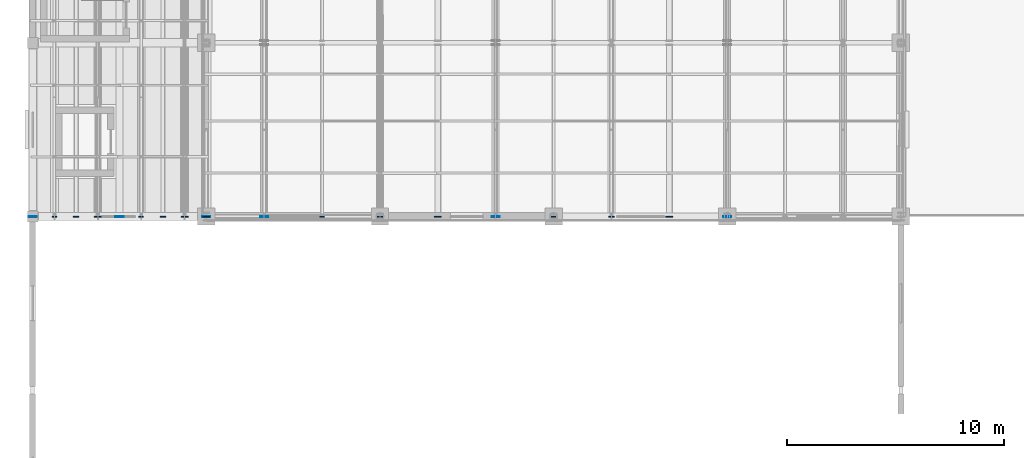
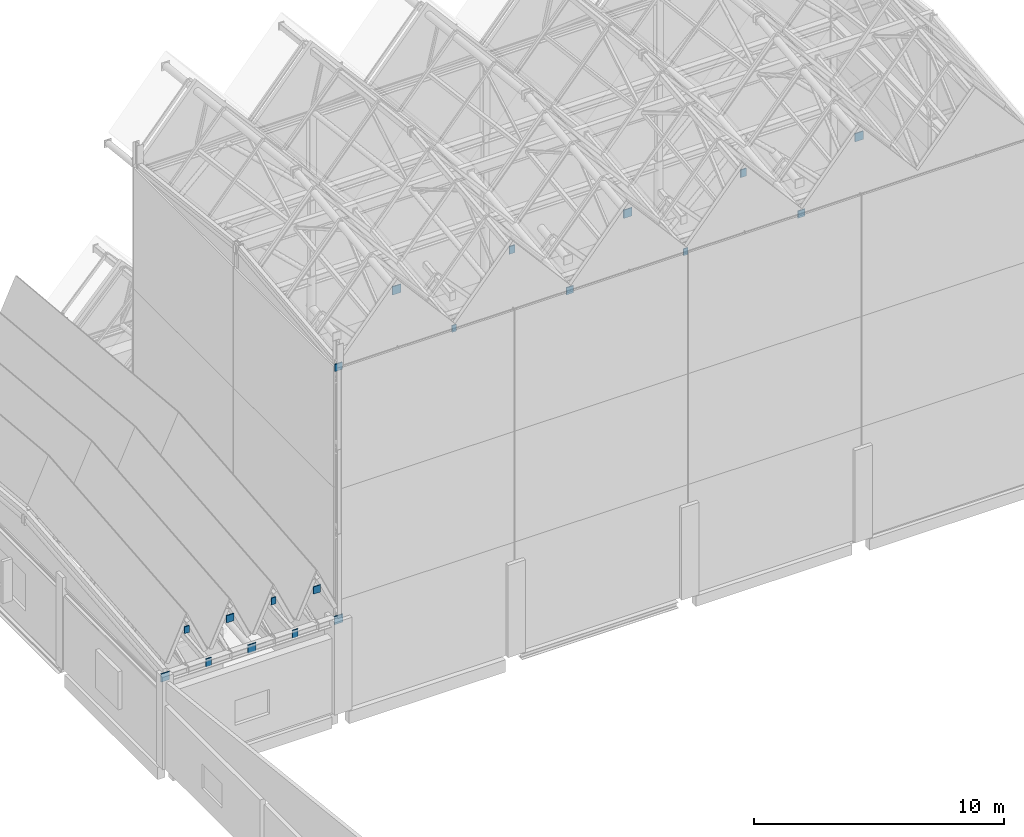
# One storey, part 37 of 48: 19 discrete accessories.
"""IFC4 building model written with IfcOpenShell, lengths in metres."""

from ifc_helpers import new_model, si_unit, direction, frame, origin, origin_2d, place, context, subcontext, project, spatial, rectangle, extrude, material, type_object, element, save


model = new_model("IFC4")

# Units and contexts
model_context = context("Model", 3, precision=1e-05, world=origin(), true_north=direction((0.0, 1.0)))
body_context = subcontext(model_context, "Body", "Model", "MODEL_VIEW")
ifc_project = project(units=[si_unit("LENGTHUNIT", "METRE"), si_unit("AREAUNIT", "SQUARE_METRE"), si_unit("VOLUMEUNIT", "CUBIC_METRE"), si_unit("PLANEANGLEUNIT", "RADIAN"), si_unit("MASSUNIT", "GRAM", prefix="KILO")], contexts=[model_context])

# Site, building, storey
site_placement = place(None, origin())
site = spatial("IfcSite", under=ifc_project, at=site_placement, CompositionType="ELEMENT")
building_placement = place(site_placement, origin())
building = spatial("IfcBuilding", under=site, at=building_placement, Name="Luwemba Playhouse", CompositionType="ELEMENT")
storey_placement = place(building_placement, frame((0.0, 0.0, 13.800048828125)))
storey = spatial("IfcBuildingStorey", under=building, at=storey_placement, Name="L03", CompositionType="ELEMENT", Elevation=13.800048828125)

# Discrete accessories
ifc_material = material(Name="Steel S355", Category="steel")
discrete_accessory_type = type_object("IfcDiscreteAccessoryType", Name="ACC-ENDCAP-S355", PredefinedType="BRACKET", material=ifc_material)
discrete_accessory_1_placement = place(storey_placement, frame((12.0, 67.985107421875, 16.4482421875), z_axis=(0.0, 0.0, 1.0), x_axis=(1.0, 0.0, 0.0)))
element("IfcDiscreteAccessory", 1, at=discrete_accessory_1_placement, inside=storey, type_object=discrete_accessory_type, Name="Welded RHS end cap plate 0061", PredefinedType="BRACKET", context=body_context, shape_type="SweptSolid", body=[
    extrude(rectangle(XDim=0.3330078125, YDim=0.044921875, at=origin_2d()), origin(), (0.0, 0.0, 1.0), 0.35302734375),
])
discrete_accessory_2_placement = place(storey_placement, frame((14.666748046875, 67.985107421875, 19.2548828125), z_axis=(0.0, 0.0, 1.0), x_axis=(1.0, 0.0, 0.0)))
element("IfcDiscreteAccessory", 2, at=discrete_accessory_2_placement, inside=storey, type_object=discrete_accessory_type, Name="Welded RHS end cap plate 0065", PredefinedType="BRACKET", context=body_context, shape_type="SweptSolid", body=[
    extrude(rectangle(XDim=0.384033203125, YDim=0.044921875, at=origin_2d()), origin(), (0.0, 0.0, 1.0), 0.404052734375),
])
discrete_accessory_3_placement = place(storey_placement, frame((17.333251953125, 67.985107421875, 16.47119140625), z_axis=(0.0, 0.0, 1.0), x_axis=(1.0, 0.0, 0.0)))
element("IfcDiscreteAccessory", 3, at=discrete_accessory_3_placement, inside=storey, type_object=discrete_accessory_type, Name="Welded RHS end cap plate 0069", PredefinedType="BRACKET", context=body_context, shape_type="SweptSolid", body=[
    extrude(rectangle(XDim=0.2099609375, YDim=0.044921875, at=origin_2d()), origin(), (0.0, 0.0, 1.0), 0.330078125),
])
discrete_accessory_4_placement = place(storey_placement, frame((20.0, 67.985107421875, 19.351318359375), z_axis=(0.0, 0.0, 1.0), x_axis=(1.0, 0.0, 0.0)))
element("IfcDiscreteAccessory", 4, at=discrete_accessory_4_placement, inside=storey, type_object=discrete_accessory_type, Name="Welded RHS end cap plate 0073", PredefinedType="BRACKET", context=body_context, shape_type="SweptSolid", body=[
    extrude(rectangle(XDim=0.260009765625, YDim=0.044921875, at=origin_2d()), origin(), (0.0, 0.0, 1.0), 0.3798828125),
])
discrete_accessory_5_placement = place(storey_placement, frame((22.666748046875, 67.985107421875, 16.4482421875), z_axis=(0.0, 0.0, 1.0), x_axis=(1.0, 0.0, 0.0)))
element("IfcDiscreteAccessory", 5, at=discrete_accessory_5_placement, inside=storey, type_object=discrete_accessory_type, Name="Welded RHS end cap plate 0077", PredefinedType="BRACKET", context=body_context, shape_type="SweptSolid", body=[
    extrude(rectangle(XDim=0.3330078125, YDim=0.044921875, at=origin_2d()), origin(), (0.0, 0.0, 1.0), 0.35302734375),
])
discrete_accessory_6_placement = place(storey_placement, frame((25.333251953125, 67.985107421875, 19.2548828125), z_axis=(0.0, 0.0, 1.0), x_axis=(1.0, 0.0, 0.0)))
element("IfcDiscreteAccessory", 6, at=discrete_accessory_6_placement, inside=storey, type_object=discrete_accessory_type, Name="Welded RHS end cap plate 0081", PredefinedType="BRACKET", context=body_context, shape_type="SweptSolid", body=[
    extrude(rectangle(XDim=0.384033203125, YDim=0.044921875, at=origin_2d()), origin(), (0.0, 0.0, 1.0), 0.404052734375),
])
discrete_accessory_7_placement = place(storey_placement, frame((28.0, 67.985107421875, 16.47119140625), z_axis=(0.0, 0.0, 1.0), x_axis=(1.0, 0.0, 0.0)))
element("IfcDiscreteAccessory", 7, at=discrete_accessory_7_placement, inside=storey, type_object=discrete_accessory_type, Name="Welded RHS end cap plate 0085", PredefinedType="BRACKET", context=body_context, shape_type="SweptSolid", body=[
    extrude(rectangle(XDim=0.2099609375, YDim=0.044921875, at=origin_2d()), origin(), (0.0, 0.0, 1.0), 0.330078125),
])
discrete_accessory_8_placement = place(storey_placement, frame((30.666748046875, 67.985107421875, 19.351318359375), z_axis=(0.0, 0.0, 1.0), x_axis=(1.0, 0.0, 0.0)))
element("IfcDiscreteAccessory", 8, at=discrete_accessory_8_placement, inside=storey, type_object=discrete_accessory_type, Name="Welded RHS end cap plate 0089", PredefinedType="BRACKET", context=body_context, shape_type="SweptSolid", body=[
    extrude(rectangle(XDim=0.260009765625, YDim=0.044921875, at=origin_2d()), origin(), (0.0, 0.0, 1.0), 0.3798828125),
])
discrete_accessory_9_placement = place(storey_placement, frame((33.333251953125, 67.985107421875, 16.4482421875), z_axis=(0.0, 0.0, 1.0), x_axis=(1.0, 0.0, 0.0)))
element("IfcDiscreteAccessory", 9, at=discrete_accessory_9_placement, inside=storey, type_object=discrete_accessory_type, Name="Welded RHS end cap plate 0093", PredefinedType="BRACKET", context=body_context, shape_type="SweptSolid", body=[
    extrude(rectangle(XDim=0.3330078125, YDim=0.044921875, at=origin_2d()), origin(), (0.0, 0.0, 1.0), 0.35302734375),
])
for number, where, z_axis, x_axis, name in (
    (10, (36.0, 67.985107421875, 19.2548828125), (0.0, 0.0, 1.0), (1.0, 0.0, 0.0), "Welded RHS end cap plate 0097"),
    (11, (4.0, 67.985107421875, 4.11474609375), (0.0, 0.0, 1.0), (1.0, 0.0, 0.0), "Welded RHS end cap plate 0113"),
):
    element("IfcDiscreteAccessory", number, at=place(storey_placement, frame(where, z_axis=z_axis, x_axis=x_axis)), inside=storey, type_object=discrete_accessory_type, Name=name, PredefinedType="BRACKET", context=body_context, shape_type="SweptSolid", body=[
        extrude(rectangle(XDim=0.384033203125, YDim=0.044921875, at=origin_2d()), origin(), (0.0, 0.0, 1.0), 0.404052734375),
    ])
discrete_accessory_10_placement = place(storey_placement, frame((5.0, 67.985107421875, 6.104248046875), z_axis=(0.0, 0.0, 1.0), x_axis=(1.0, 0.0, 0.0)))
element("IfcDiscreteAccessory", 12, at=discrete_accessory_10_placement, inside=storey, type_object=discrete_accessory_type, Name="Welded RHS end cap plate 0117", PredefinedType="BRACKET", context=body_context, shape_type="SweptSolid", body=[
    extrude(rectangle(XDim=0.2099609375, YDim=0.044921875, at=origin_2d()), origin(), (0.0, 0.0, 1.0), 0.330078125),
])
discrete_accessory_11_placement = place(storey_placement, frame((6.0, 67.985107421875, 4.138671875), z_axis=(0.0, 0.0, 1.0), x_axis=(1.0, 0.0, 0.0)))
element("IfcDiscreteAccessory", 13, at=discrete_accessory_11_placement, inside=storey, type_object=discrete_accessory_type, Name="Welded RHS end cap plate 0121", PredefinedType="BRACKET", context=body_context, shape_type="SweptSolid", body=[
    extrude(rectangle(XDim=0.260009765625, YDim=0.044921875, at=origin_2d()), origin(), (0.0, 0.0, 1.0), 0.3798828125),
])
discrete_accessory_12_placement = place(storey_placement, frame((7.0, 67.985107421875, 5.947509765625), z_axis=(0.0, 0.0, 1.0), x_axis=(1.0, 0.0, 0.0)))
element("IfcDiscreteAccessory", 14, at=discrete_accessory_12_placement, inside=storey, type_object=discrete_accessory_type, Name="Welded RHS end cap plate 0125", PredefinedType="BRACKET", context=body_context, shape_type="SweptSolid", body=[
    extrude(rectangle(XDim=0.3330078125, YDim=0.044921875, at=origin_2d()), origin(), (0.0, 0.0, 1.0), 0.35302734375),
])
discrete_accessory_13_placement = place(storey_placement, frame((8.0, 67.985107421875, 4.11474609375), z_axis=(0.0, 0.0, 1.0), x_axis=(1.0, 0.0, 0.0)))
element("IfcDiscreteAccessory", 15, at=discrete_accessory_13_placement, inside=storey, type_object=discrete_accessory_type, Name="Welded RHS end cap plate 0129", PredefinedType="BRACKET", context=body_context, shape_type="SweptSolid", body=[
    extrude(rectangle(XDim=0.384033203125, YDim=0.044921875, at=origin_2d()), origin(), (0.0, 0.0, 1.0), 0.404052734375),
])
discrete_accessory_14_placement = place(storey_placement, frame((9.0, 67.985107421875, 6.104248046875), z_axis=(0.0, 0.0, 1.0), x_axis=(1.0, 0.0, 0.0)))
element("IfcDiscreteAccessory", 16, at=discrete_accessory_14_placement, inside=storey, type_object=discrete_accessory_type, Name="Welded RHS end cap plate 0133", PredefinedType="BRACKET", context=body_context, shape_type="SweptSolid", body=[
    extrude(rectangle(XDim=0.2099609375, YDim=0.044921875, at=origin_2d()), origin(), (0.0, 0.0, 1.0), 0.330078125),
])
discrete_accessory_15_placement = place(storey_placement, frame((10.0, 67.985107421875, 4.138671875), z_axis=(0.0, 0.0, 1.0), x_axis=(1.0, 0.0, 0.0)))
element("IfcDiscreteAccessory", 17, at=discrete_accessory_15_placement, inside=storey, type_object=discrete_accessory_type, Name="Welded RHS end cap plate 0137", PredefinedType="BRACKET", context=body_context, shape_type="SweptSolid", body=[
    extrude(rectangle(XDim=0.260009765625, YDim=0.044921875, at=origin_2d()), origin(), (0.0, 0.0, 1.0), 0.3798828125),
])
discrete_accessory_16_placement = place(storey_placement, frame((11.0, 67.985107421875, 5.947509765625), z_axis=(0.0, 0.0, 1.0), x_axis=(1.0, 0.0, 0.0)))
element("IfcDiscreteAccessory", 18, at=discrete_accessory_16_placement, inside=storey, type_object=discrete_accessory_type, Name="Welded RHS end cap plate 0141", PredefinedType="BRACKET", context=body_context, shape_type="SweptSolid", body=[
    extrude(rectangle(XDim=0.3330078125, YDim=0.044921875, at=origin_2d()), origin(), (0.0, 0.0, 1.0), 0.35302734375),
])
discrete_accessory_17_placement = place(storey_placement, frame((12.0, 67.985107421875, 4.11474609375), z_axis=(0.0, 0.0, 1.0), x_axis=(1.0, 0.0, 0.0)))
element("IfcDiscreteAccessory", 19, at=discrete_accessory_17_placement, inside=storey, type_object=discrete_accessory_type, Name="Welded RHS end cap plate 0145", PredefinedType="BRACKET", context=body_context, shape_type="SweptSolid", body=[
    extrude(rectangle(XDim=0.384033203125, YDim=0.044921875, at=origin_2d()), origin(), (0.0, 0.0, 1.0), 0.404052734375),
])

save(model, "model.ifc")
